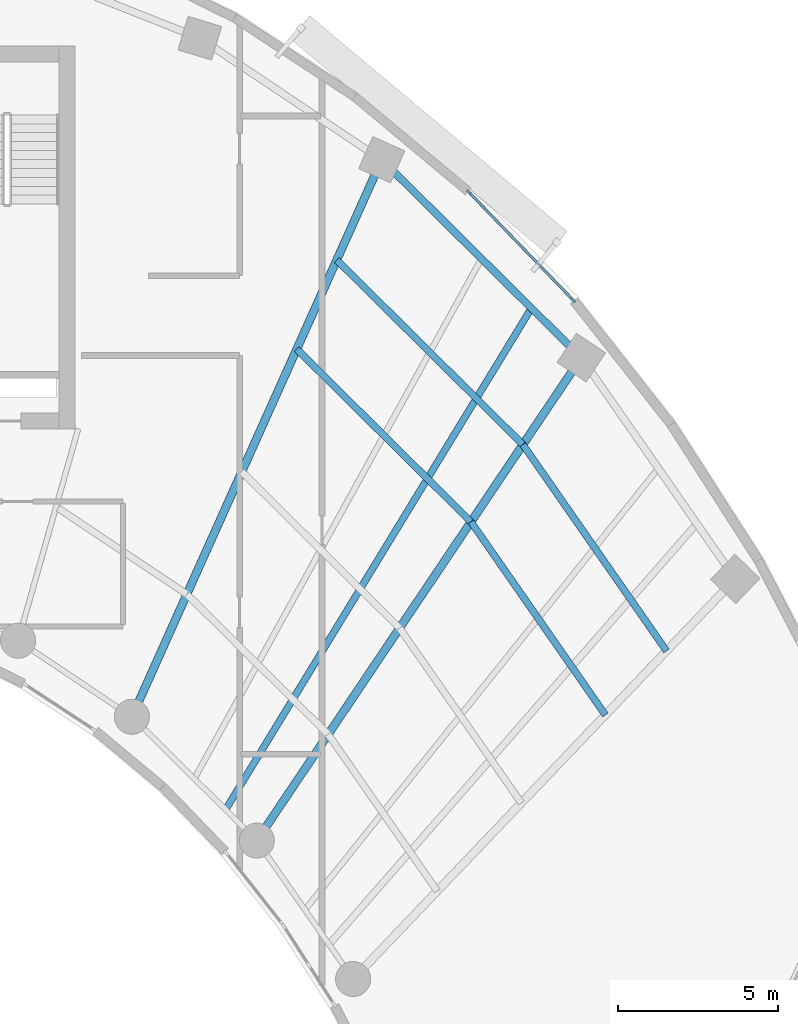
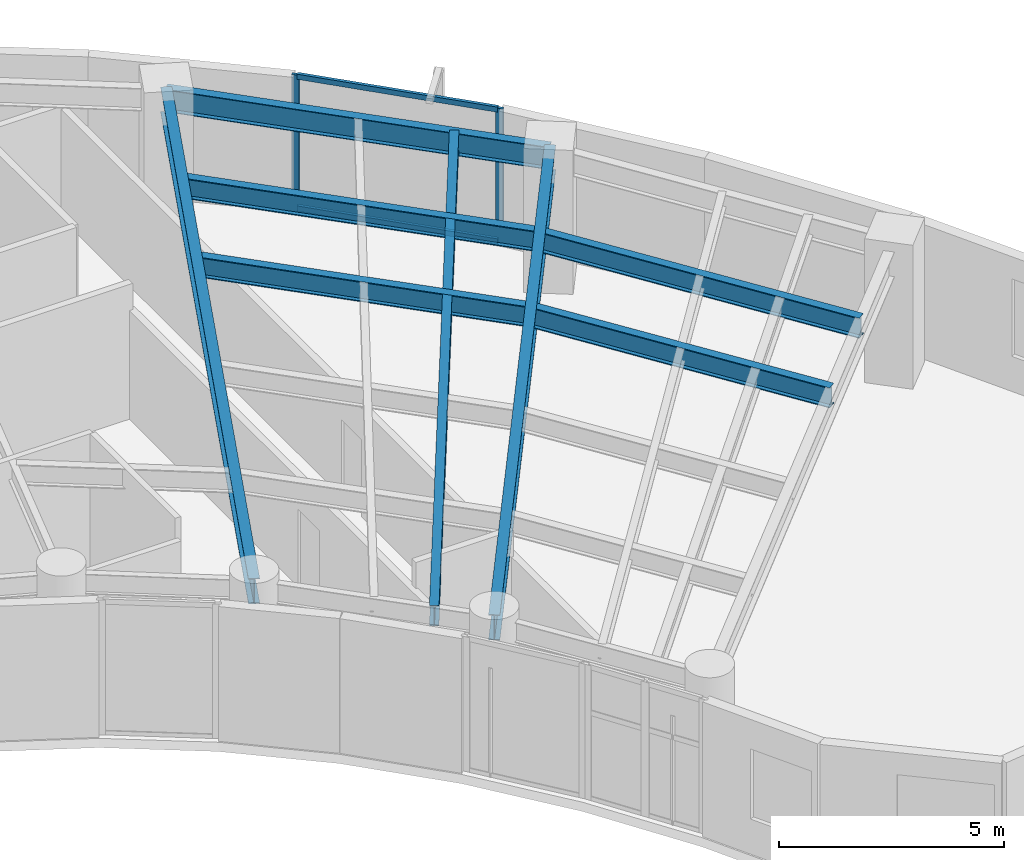
# One storey, part 4 of 13: 8 beams, 4 members, 1 element without a shape of its own.
"""IFC4 building model written with IfcOpenShell, lengths in metres."""

from ifc_helpers import new_model, si_unit, direction, frame, origin, origin_2d, place, context, subcontext, project, spatial, rectangle, i_section, extrude, source, transform, mapped, material, layer, layer_set, material_profile, profile_set, type_object, element, aggregate, save


model = new_model("IFC4")

# Units and contexts
model_context = context("Model", 3, precision=1e-05, world=origin(), true_north=direction((0.0, 1.0)))
body_context = subcontext(model_context, "Body", "Model", "MODEL_VIEW")
ifc_project = project(units=[si_unit("LENGTHUNIT", "METRE"), si_unit("AREAUNIT", "SQUARE_METRE"), si_unit("VOLUMEUNIT", "CUBIC_METRE"), si_unit("PLANEANGLEUNIT", "RADIAN"), si_unit("MASSUNIT", "GRAM", prefix="KILO")], contexts=[model_context])

# Site, building, storey
site_placement = place(None, origin())
site = spatial("IfcSite", under=ifc_project, at=site_placement, CompositionType="ELEMENT")
building_placement = place(site_placement, origin())
building = spatial("IfcBuilding", under=site, at=building_placement, Name="Breltana Convention Tower", CompositionType="ELEMENT")
storey_placement = place(building_placement, frame((0.0, 0.0, 166.199951171875)))
storey = spatial("IfcBuildingStorey", under=building, at=storey_placement, Name="L40", CompositionType="ELEMENT", Elevation=166.199951171875)

# Beams
ifc_material_1 = material(Name="Steel ASTM A992 Grade 50", Category="steel")
ifc_material_profile_1 = material_profile(ifc_material_1, i_section(OverallWidth=0.214111328125, OverallDepth=0.549072265625, WebThickness=0.0146484375, FlangeThickness=0.023681640625, at=origin_2d()), Name="W21X93")
ifc_profile_set_1 = profile_set([ifc_material_profile_1], Name="Steel ASTM A992 Grade 50")
beam_type_1 = type_object("IfcBeamType", Name="BM-JSG-03", PredefinedType="JOIST", material=ifc_profile_set_1)
shared_shape_1 = source(origin(), body_context, "Body", "SweptSolid", [
    extrude(i_section(OverallWidth=0.214111328125, OverallDepth=0.549072265625, WebThickness=0.0146484375, FlangeThickness=0.023681640625, at=origin_2d()), origin(), (0.0, 0.0, 1.0), 18.409423828125),
])
beam_1_placement = place(storey_placement, frame((64.017333984375, 48.263916015625, 3.37548828125), z_axis=(0.520682167606, 0.853750596098, 0.0), x_axis=(-0.853750596098, 0.520682167606, 0.0)))
element("IfcBeam", 1, at=beam_1_placement, inside=storey, type_object=beam_type_1, Name="L40 Quarter-Bay Radial Trimmer 09", PredefinedType="JOIST", context=body_context, shape_type="MappedRepresentation", body=[
    mapped(shared_shape_1, transform((0.0, 0.0, 0.0), scale=1.0)),
])
shared_shape_2 = source(origin(), body_context, "Body", "SweptSolid", [
    extrude(i_section(OverallWidth=0.214111328125, OverallDepth=0.549072265625, WebThickness=0.0146484375, FlangeThickness=0.023681640625, at=origin_2d()), origin(), (0.0, 0.0, 1.0), 7.688720703125),
])
beam_2_placement = place(storey_placement, frame((66.248779296875, 62.697265625, 3.37548828125), z_axis=(0.710101109809, -0.704099718682, 0.0), x_axis=(0.704099718682, 0.710101109809, 0.0)))
element("IfcBeam", 2, at=beam_2_placement, inside=storey, type_object=beam_type_1, Name="L40 Composite Floor Joist 09.3", PredefinedType="JOIST", context=body_context, shape_type="MappedRepresentation", body=[
    mapped(shared_shape_2, transform((0.0, 0.0, 0.0), scale=1.0)),
])
shared_shape_3 = source(origin(), body_context, "Body", "SweptSolid", [
    extrude(i_section(OverallWidth=0.214111328125, OverallDepth=0.549072265625, WebThickness=0.0146484375, FlangeThickness=0.023681640625, at=origin_2d()), origin(), (0.0, 0.0, 1.0), 8.21630859375),
])
beam_3_placement = place(storey_placement, frame((67.50146484375, 65.49072265625, 3.37548828125), z_axis=(0.710101511063, -0.704099314008, 0.0), x_axis=(0.704099314008, 0.710101511063, 0.0)))
element("IfcBeam", 3, at=beam_3_placement, inside=storey, type_object=beam_type_1, Name="L40 Composite Floor Joist 09.4", PredefinedType="JOIST", context=body_context, shape_type="MappedRepresentation", body=[
    mapped(shared_shape_3, transform((0.0, 0.0, 0.0), scale=1.0)),
])
shared_shape_4 = source(origin(), body_context, "Body", "SweptSolid", [
    extrude(i_section(OverallWidth=0.214111328125, OverallDepth=0.549072265625, WebThickness=0.0146484375, FlangeThickness=0.023681640625, at=origin_2d()), origin(), (0.0, 0.0, 1.0), 7.374267578125),
])
beam_4_placement = place(storey_placement, frame((71.70849609375, 57.28369140625, 3.37548828125), z_axis=(0.571229379406, -0.820790470281, 0.0), x_axis=(0.820790470281, 0.571229379406, 0.0)))
element("IfcBeam", 4, at=beam_4_placement, inside=storey, type_object=beam_type_1, Name="L40 Composite Floor Joist 10.3", PredefinedType="JOIST", context=body_context, shape_type="MappedRepresentation", body=[
    mapped(shared_shape_4, transform((0.0, 0.0, 0.0), scale=1.0)),
])
shared_shape_5 = source(origin(), body_context, "Body", "SweptSolid", [
    extrude(i_section(OverallWidth=0.214111328125, OverallDepth=0.549072265625, WebThickness=0.0146484375, FlangeThickness=0.023681640625, at=origin_2d()), origin(), (0.0, 0.0, 1.0), 7.88037109375),
])
beam_5_placement = place(storey_placement, frame((73.3359375, 59.70556640625, 3.37548828125), z_axis=(0.571197916304, -0.820812366141, 0.0), x_axis=(0.820812366141, 0.571197916304, 0.0)))
element("IfcBeam", 5, at=beam_5_placement, inside=storey, type_object=beam_type_1, Name="L40 Composite Floor Joist 10.4", PredefinedType="JOIST", context=body_context, shape_type="MappedRepresentation", body=[
    mapped(shared_shape_5, transform((0.0, 0.0, 0.0), scale=1.0)),
])
ifc_material_profile_2 = material_profile(ifc_material_1, i_section(OverallWidth=0.25390625, OverallDepth=0.68798828125, WebThickness=0.01318359375, FlangeThickness=0.02099609375, at=origin_2d()), Name="W27X102")
ifc_profile_set_2 = profile_set([ifc_material_profile_2], Name="Steel ASTM A992 Grade 50")
beam_type_2 = type_object("IfcBeamType", Name="BM-RG-W27X102", PredefinedType="USERDEFINED", material=ifc_profile_set_2)
shared_shape_6 = source(origin(), body_context, "Body", "SweptSolid", [
    extrude(i_section(OverallWidth=0.25390625, OverallDepth=0.68798828125, WebThickness=0.01318359375, FlangeThickness=0.02099609375, at=origin_2d()), origin(), (0.0, 0.0, 1.0), 19.133544921875),
])
beam_6_placement = place(storey_placement, frame((61.08203125, 51.174560546875, 3.30615234375), z_axis=(0.409144564164, 0.912469575172, 0.0), x_axis=(-0.912469575172, 0.409144564164, 0.0)))
element("IfcBeam", 6, at=beam_6_placement, inside=storey, type_object=beam_type_2, Name="L40 Radial Floor Girder R09", ObjectType="GIRDER", PredefinedType="USERDEFINED", context=body_context, shape_type="MappedRepresentation", body=[
    mapped(shared_shape_6, transform((0.0, 0.0, 0.0), scale=1.0)),
])
shared_shape_7 = source(origin(), body_context, "Body", "SweptSolid", [
    extrude(i_section(OverallWidth=0.25390625, OverallDepth=0.68798828125, WebThickness=0.01318359375, FlangeThickness=0.02099609375, at=origin_2d()), origin(), (0.0, 0.0, 1.0), 18.236328125),
])
beam_7_placement = place(storey_placement, frame((64.995849609375, 47.293701171875, 3.30615234375), z_axis=(0.557730360975, 0.830022195153, 0.0), x_axis=(-0.830022195153, 0.557730360975, 0.0)))
element("IfcBeam", 7, at=beam_7_placement, inside=storey, type_object=beam_type_2, Name="L40 Radial Floor Girder R10", ObjectType="GIRDER", PredefinedType="USERDEFINED", context=body_context, shape_type="MappedRepresentation", body=[
    mapped(shared_shape_7, transform((0.0, 0.0, 0.0), scale=1.0)),
])
ifc_material_profile_3 = material_profile(ifc_material_1, i_section(OverallWidth=0.22802734375, OverallDepth=0.60791015625, WebThickness=0.01123046875, FlangeThickness=0.017333984375, at=origin_2d()), Name="W24X76")
ifc_profile_set_3 = profile_set([ifc_material_profile_3], Name="Steel ASTM A992 Grade 50")
beam_type_3 = type_object("IfcBeamType", Name="BM-SP-W24X76", PredefinedType="SPANDREL", material=ifc_profile_set_3)
shared_shape_8 = source(origin(), body_context, "Body", "SweptSolid", [
    extrude(i_section(OverallWidth=0.22802734375, OverallDepth=0.60791015625, WebThickness=0.01123046875, FlangeThickness=0.017333984375, at=origin_2d()), origin(), (0.0, 0.0, 1.0), 8.810302734375),
])
beam_8_placement = place(storey_placement, frame((68.910400390625, 68.63330078125, 3.345947265625), z_axis=(0.710120823582, -0.704079836322, 0.0), x_axis=(0.704079836322, 0.710120823582, 0.0)))
element("IfcBeam", 8, at=beam_8_placement, inside=storey, type_object=beam_type_3, Name="L40 Outer Spandrel Beam 09", PredefinedType="SPANDREL", context=body_context, shape_type="MappedRepresentation", body=[
    mapped(shared_shape_8, transform((0.0, 0.0, 0.0), scale=1.0)),
])

# Curtain wall, members
ifc_material_2 = material(Name="Aluminium Anodised Bronze Frame", Category="aluminium")
ifc_layer = layer(ifc_material_2, 0.2099609375, Name="Aluminium Anodised Bronze Frame")
ifc_layer_set = layer_set([ifc_layer], Name="Aluminium Anodised Bronze Frame")
curtain_wall_type = type_object("IfcCurtainWallType", Name="CW-SYS-3", PredefinedType="NOTDEFINED", material=ifc_layer_set)
curtain_wall_placement = place(storey_placement, origin())
curtain_wall = element("IfcCurtainWall", 9, at=curtain_wall_placement, inside=storey, type_object=curtain_wall_type, Name="L40 outer double-skin inner glazing 4", PredefinedType="NOTDEFINED")
ifc_material_3 = material(Name="Aluminium Anodised Bronze", Category="aluminium")
ifc_material_profile_4 = material_profile(ifc_material_3, rectangle(XDim=0.070068359375, YDim=0.175048828125, at=origin_2d()), Name="CWM-70X175")
ifc_profile_set_4 = profile_set([ifc_material_profile_4], Name="Aluminium Anodised Bronze")
member_type_1 = type_object("IfcMemberType", Name="CWM-175", PredefinedType="MULLION", material=ifc_profile_set_4)
shared_shape_9 = source(origin(), body_context, "Body", "SweptSolid", [
    extrude(rectangle(XDim=0.070068359375, YDim=0.175048828125, at=origin_2d()), origin(), (0.0, 0.0, 1.0), 3.650146484375),
])
member_1_placement = place(storey_placement, frame((71.643310546875, 67.616943359375, 0.0), z_axis=(0.0, 0.0, 1.0), x_axis=(0.719393523398, 0.694602734297, 0.0)))
member_1 = element("IfcMember", 10, at=member_1_placement, type_object=member_type_1, Name="CW-03 mullion 1", PredefinedType="MULLION", context=body_context, shape_type="MappedRepresentation", body=[
    mapped(shared_shape_9, transform((0.0, 0.0, 0.0), scale=1.0)),
])
member_2_placement = place(storey_placement, frame((74.912109375, 64.2314453125, 0.0), z_axis=(0.0, 0.0, 1.0), x_axis=(0.719393523398, 0.694602734297, 0.0)))
member_2 = element("IfcMember", 11, at=member_2_placement, type_object=member_type_1, Name="CW-03 mullion 2", PredefinedType="MULLION", context=body_context, shape_type="MappedRepresentation", body=[
    mapped(shared_shape_9, transform((0.0, 0.0, 0.0), scale=1.0)),
])
ifc_material_profile_5 = material_profile(ifc_material_3, rectangle(XDim=0.080078125, YDim=0.139892578125, at=origin_2d()), Name="CWT-80X140")
ifc_profile_set_5 = profile_set([ifc_material_profile_5], Name="Aluminium Anodised Bronze")
member_type_2 = type_object("IfcMemberType", Name="CWT-140", PredefinedType="USERDEFINED", material=ifc_profile_set_5)
shared_shape_10 = source(origin(), body_context, "Body", "SweptSolid", [
    extrude(rectangle(XDim=0.080078125, YDim=0.139892578125, at=origin_2d()), origin(), (0.0, 0.0, 1.0), 4.635986328125),
])
member_3_placement = place(storey_placement, frame((71.667724609375, 67.591796875, 0.0400390625), z_axis=(0.694569137919, -0.719425960506, 0.0), x_axis=(0.719425960506, 0.694569137919, 0.0)))
member_3 = element("IfcMember", 12, at=member_3_placement, type_object=member_type_2, Name="CW-03 transom 1.1", ObjectType="TRANSOM", PredefinedType="USERDEFINED", context=body_context, shape_type="MappedRepresentation", body=[
    mapped(shared_shape_10, transform((0.0, 0.0, 0.0), scale=1.0)),
])
member_4_placement = place(storey_placement, frame((71.667724609375, 67.591796875, 3.610107421875), z_axis=(0.694569137919, -0.719425960506, 0.0), x_axis=(0.719425960506, 0.694569137919, 0.0)))
member_4 = element("IfcMember", 13, at=member_4_placement, type_object=member_type_2, Name="CW-03 transom 1.2", ObjectType="TRANSOM", PredefinedType="USERDEFINED", context=body_context, shape_type="MappedRepresentation", body=[
    mapped(shared_shape_10, transform((0.0, 0.0, 0.0), scale=1.0)),
])
aggregate(curtain_wall, [member_1, member_2, member_3, member_4])

save(model, "model.ifc")
